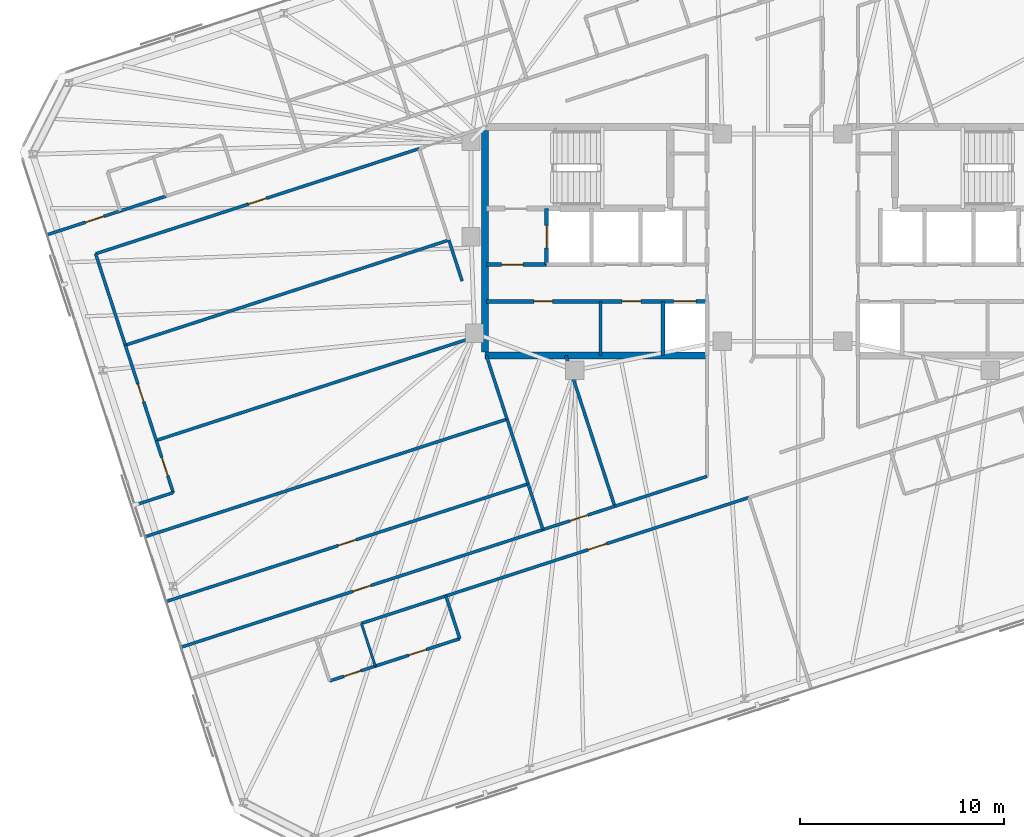
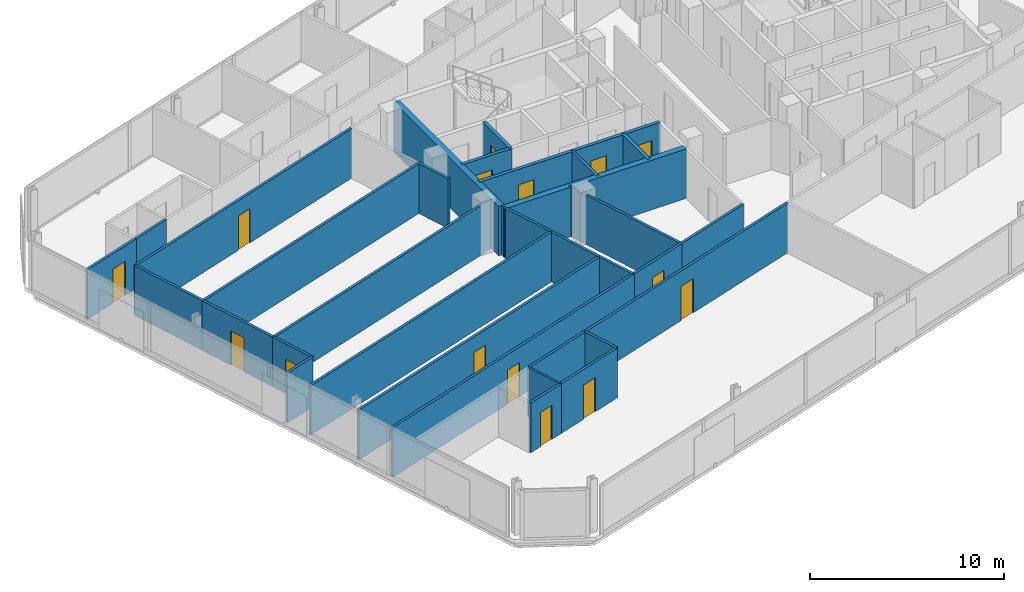
# One storey, part 13 of 19: 32 walls, 15 doors, 15 openings.
"""IFC4 building model written with IfcOpenShell, lengths in metres."""

from ifc_helpers import new_model, si_unit, direction, frame, frame_2d, origin, place, context, subcontext, project, spatial, rectangle, extrude, material, layer, layer_set, type_object, element, fill, save


model = new_model("IFC4")

# Units and contexts
model_context = context("Model", 3, precision=1e-05, world=origin(), true_north=direction((0.0, 1.0)))
body_context = subcontext(model_context, "Body", "Model", "MODEL_VIEW")
ifc_project = project(units=[si_unit("LENGTHUNIT", "METRE"), si_unit("AREAUNIT", "SQUARE_METRE"), si_unit("VOLUMEUNIT", "CUBIC_METRE"), si_unit("PLANEANGLEUNIT", "RADIAN"), si_unit("MASSUNIT", "GRAM", prefix="KILO")], contexts=[model_context])

# Site, building, storey
site_placement = place(None, origin())
site = spatial("IfcSite", under=ifc_project, at=site_placement, CompositionType="ELEMENT")
building_placement = place(site_placement, origin())
building = spatial("IfcBuilding", under=site, at=building_placement, Name="Menara Jurai Vektor", CompositionType="ELEMENT")
storey_placement = place(building_placement, frame((0.0, 0.0, 231.0)))
storey = spatial("IfcBuildingStorey", under=building, at=storey_placement, Name="L61", CompositionType="ELEMENT", Elevation=231.0)

# Wall, opening, door
ifc_material_1 = material(Name="Concrete C40/50", Category="concrete")
ifc_layer_1 = layer(ifc_material_1, 0.25)
ifc_layer_set_1 = layer_set([ifc_layer_1], Name="Concrete C40/50")
wall_type_1 = type_object("IfcWallType", Name="INT-WALL-CORE-250", PredefinedType="STANDARD", material=ifc_layer_set_1)
wall_1_placement = place(storey_placement, frame((-11.550048828125, -1.14990234375, 0.0), z_axis=(0.0, 0.0, 1.0), x_axis=(0.0, 1.0, 0.0)))
wall_1 = element("IfcWall", 1, at=wall_1_placement, inside=storey, type_object=wall_type_1, Name="Interior Wall IW-250 L61", PredefinedType="STANDARD", context=body_context, shape_type="SweptSolid", body=[
    extrude(rectangle(XDim=2.75, YDim=0.199951171875, at=frame_2d((1.375, 0.0))), origin(), (0.0, 0.0, 1.0), 3.125),
])
opening_1_placement = place(wall_1_placement, frame((0.824951171875, 0.0, 0.0)))
opening_1 = element("IfcOpeningElement", 2, at=opening_1_placement, cuts=wall_1, Name="Opening LD-L61-FL1", PredefinedType="OPENING", context=body_context, shape_type="SweptSolid", body=[
    extrude(rectangle(XDim=1.10009765625, YDim=2.14990234375, at=frame_2d((0.550048828125, 1.074951171875))), frame((0.0, 0.10986328125, 0.0), z_axis=(0.0, -1.0, 0.0), x_axis=(1.0, 0.0, 0.0)), (0.0, 0.0, 1.0), 0.219970703125),
])
ifc_material_2 = material(Name="Stainless Steel Sliding Lift Landing Door", Category="steel")
door_type_1 = type_object("IfcDoorType", Name="DR-LIFT-FIRE-1100", OperationType="NOTDEFINED", PredefinedType="DOOR", material=ifc_material_2)
door_1_placement = place(opening_1_placement, origin())
door_1 = element("IfcDoor", 3, at=door_1_placement, inside=storey, type_object=door_type_1, Name="Lift Landing Door FL1 L61", OperationType="SLIDING_TO_RIGHT", OverallHeight=2.14990234375, OverallWidth=1.10009765625, PredefinedType="DOOR", context=body_context, shape_type="SweptSolid", body=[
    extrude(rectangle(XDim=1.10009765625, YDim=2.14990234375, at=frame_2d((0.550048828125, 1.074951171875))), frame((0.0, 0.02490234375, 0.0), z_axis=(0.0, -1.0, 0.0), x_axis=(1.0, 0.0, 0.0)), (0.0, 0.0, 1.0), 0.050048828125),
])
fill(opening_1, door_1)

wall_2_placement = place(storey_placement, frame((-14.5, -1.14990234375, 0.0), z_axis=(0.0, 0.0, 1.0), x_axis=(1.0, 0.0, 0.0)))
wall_2 = element("IfcWall", 4, at=wall_2_placement, inside=storey, type_object=wall_type_1, Name="Interior Wall IW-250 L61", PredefinedType="STANDARD", context=body_context, shape_type="SweptSolid", body=[
    extrude(rectangle(XDim=2.949951171875, YDim=0.199951171875, at=frame_2d((1.47509765625, 0.0))), origin(), (0.0, 0.0, 1.0), 3.125),
])
opening_2_placement = place(wall_2_placement, frame((0.75, 0.0, 0.0)))
opening_2 = element("IfcOpeningElement", 5, at=opening_2_placement, cuts=wall_2, Name="Opening D-L61-FFW", PredefinedType="OPENING", context=body_context, shape_type="SweptSolid", body=[
    extrude(rectangle(XDim=1.050048828125, YDim=2.179931640625, at=frame_2d((0.52490234375, 1.08984375))), frame((0.0, 0.10986328125, 0.0), z_axis=(0.0, -1.0, 0.0), x_axis=(1.0, 0.0, 0.0)), (0.0, 0.0, 1.0), 0.219970703125),
])
ifc_material_3 = material(Name="Fire-Rated Timber Door", Category="wood")
door_type_2 = type_object("IfcDoorType", Name="DR-LOBBY-1050", OperationType="NOTDEFINED", PredefinedType="DOOR", material=ifc_material_3)
door_2_placement = place(opening_2_placement, origin())
door_2 = element("IfcDoor", 6, at=door_2_placement, inside=storey, type_object=door_type_2, Name="Fire Lift Lobby Door W L61", OperationType="SINGLE_SWING_RIGHT", OverallHeight=2.179931640625, OverallWidth=1.050048828125, PredefinedType="DOOR", context=body_context, shape_type="SweptSolid", body=[
    extrude(rectangle(XDim=1.050048828125, YDim=2.179931640625, at=frame_2d((0.52490234375, 1.08984375))), frame((0.0, 0.02490234375, 0.0), z_axis=(0.0, -1.0, 0.0), x_axis=(1.0, 0.0, 0.0)), (0.0, 0.0, 1.0), 0.050048828125),
])
fill(opening_2, door_2)

# Wall
ifc_material_4 = material(Name="Gypsum Fireboard Partition", Category="gypsum")
ifc_layer_2 = layer(ifc_material_4, 0.14990234375)
ifc_layer_set_2 = layer_set([ifc_layer_2], Name="Gypsum Fireboard Partition")
wall_type_2 = type_object("IfcWallType", Name="INT-WALL-CORR-150", PredefinedType="PARTITIONING", material=ifc_layer_set_2)
wall_3_placement = place(storey_placement, frame((-8.919921875, -5.60009765625, 0.0), z_axis=(0.0, 0.0, 1.0), x_axis=(0.0, 1.0, 0.0)))
element("IfcWall", 7, at=wall_3_placement, inside=storey, type_object=wall_type_2, Name="Interior Wall IW-150 L61", PredefinedType="PARTITIONING", context=body_context, shape_type="SweptSolid", body=[
    extrude(rectangle(XDim=2.650146484375, YDim=0.14990234375, at=frame_2d((1.3251953125, 0.0))), origin(), (0.0, 0.0, 1.0), 3.125),
])

# Wall, opening, door
wall_4_placement = place(storey_placement, frame((-36.01220703125, 0.314208984375, 0.0), z_axis=(0.0, 0.0, 1.0), x_axis=(0.951071182868, 0.308971851659, 0.0)))
wall_4 = element("IfcWall", 8, at=wall_4_placement, inside=storey, type_object=wall_type_2, Name="Interior Wall IW-150 L61", PredefinedType="PARTITIONING", context=body_context, shape_type="SweptSolid", body=[
    extrude(rectangle(XDim=3.77001953125, YDim=0.14990234375, at=frame_2d((1.885009765625, 0.0))), origin(), (0.0, 0.0, 1.0), 3.125),
])
opening_3_placement = place(wall_4_placement, frame((1.9755859375, 0.0, 0.0)))
opening_3 = element("IfcOpeningElement", 9, at=opening_3_placement, cuts=wall_4, Name="Opening D61-09", PredefinedType="OPENING", context=body_context, shape_type="SweptSolid", body=[
    extrude(rectangle(XDim=0.949951171875, YDim=2.14990234375, at=frame_2d((0.47509765625, 1.074951171875))), frame((0.0, 0.0849609375, 0.0), z_axis=(0.0, -1.0, 0.0), x_axis=(1.0, 0.0, 0.0)), (0.0, 0.0, 1.0), 0.169921875),
])
ifc_material_5 = material(Name="Solid Core Timber Fire Door", Category="wood")
door_type_3 = type_object("IfcDoorType", Name="DR-ENTRY-950", OperationType="NOTDEFINED", PredefinedType="DOOR", material=ifc_material_5)
door_3_placement = place(opening_3_placement, origin())
door_3 = element("IfcDoor", 10, at=door_3_placement, inside=storey, type_object=door_type_3, Name="Interior Door D61-09", OperationType="SINGLE_SWING_RIGHT", OverallHeight=2.14990234375, OverallWidth=0.949951171875, PredefinedType="DOOR", context=body_context, shape_type="SweptSolid", body=[
    extrude(rectangle(XDim=0.949951171875, YDim=2.14990234375, at=frame_2d((0.47509765625, 1.074951171875))), frame((0.0, 0.02490234375, 0.0), z_axis=(0.0, -1.0, 0.0), x_axis=(1.0, 0.0, 0.0)), (0.0, 0.0, 1.0), 0.050048828125),
])
fill(opening_3, door_3)

# Wall
wall_5_placement = place(storey_placement, frame((-32.4267578125, 1.47900390625, 0.0), z_axis=(0.0, 0.0, 1.0), x_axis=(0.951045519245, 0.309050837767, 0.0)))
element("IfcWall", 11, at=wall_5_placement, inside=storey, type_object=wall_type_2, Name="Interior Wall IW-150 L61", PredefinedType="PARTITIONING", context=body_context, shape_type="SweptSolid", body=[
    extrude(rectangle(XDim=2.35009765625, YDim=0.14990234375, at=frame_2d((1.175048828125, 0.0))), origin(), (0.0, 0.0, 1.0), 3.125),
])

# Wall, opening, door
wall_6_placement = place(storey_placement, frame((-16.481689453125, -17.3701171875, 0.0), z_axis=(0.0, 0.0, 1.0), x_axis=(0.9510563751, 0.309017428929, 0.0)))
wall_6 = element("IfcWall", 12, at=wall_6_placement, inside=storey, type_object=wall_type_2, Name="Interior Wall IW-150 L61", PredefinedType="PARTITIONING", context=body_context, shape_type="SweptSolid", body=[
    extrude(rectangle(XDim=15.60205078125, YDim=0.14990234375, at=frame_2d((7.801025390625, 0.0))), origin(), (0.0, 0.0, 1.0), 3.125),
])
opening_4_placement = place(wall_6_placement, frame((7.325927734375, 0.0, 0.0)))
opening_4 = element("IfcOpeningElement", 13, at=opening_4_placement, cuts=wall_6, Name="Opening D61-15", PredefinedType="OPENING", context=body_context, shape_type="SweptSolid", body=[
    extrude(rectangle(XDim=0.949951171875, YDim=2.14990234375, at=frame_2d((0.47509765625, 1.074951171875))), frame((0.0, 0.0849609375, 0.0), z_axis=(0.0, -1.0, 0.0), x_axis=(1.0, 0.0, 0.0)), (0.0, 0.0, 1.0), 0.169921875),
])
door_4_placement = place(opening_4_placement, origin())
door_4 = element("IfcDoor", 14, at=door_4_placement, inside=storey, type_object=door_type_3, Name="Interior Door D61-15", OperationType="SINGLE_SWING_RIGHT", OverallHeight=2.14990234375, OverallWidth=0.949951171875, PredefinedType="DOOR", context=body_context, shape_type="SweptSolid", body=[
    extrude(rectangle(XDim=0.949951171875, YDim=2.14990234375, at=frame_2d((0.47509765625, 1.074951171875))), frame((0.0, 0.02490234375, 0.0), z_axis=(0.0, -1.0, 0.0), x_axis=(1.0, 0.0, 0.0)), (0.0, 0.0, 1.0), 0.050048828125),
])
fill(opening_4, door_4)

# Wall
wall_7_placement = place(storey_placement, frame((-20.61865234375, -18.71435546875, 0.0), z_axis=(0.0, 0.0, 1.0), x_axis=(0.951052627573, 0.309028962374, 0.0)))
element("IfcWall", 15, at=wall_7_placement, inside=storey, type_object=wall_type_2, Name="Interior Wall IW-150 L61", PredefinedType="PARTITIONING", context=body_context, shape_type="SweptSolid", body=[
    extrude(rectangle(XDim=4.349853515625, YDim=0.14990234375, at=frame_2d((2.1748046875, 0.0))), origin(), (0.0, 0.0, 1.0), 3.125),
])

# Wall, opening, door
wall_8_placement = place(storey_placement, frame((-29.450439453125, -19.880615234375, 0.0), z_axis=(0.0, 0.0, 1.0), x_axis=(0.95105650271, 0.309017036186, 0.0)))
wall_8 = element("IfcWall", 16, at=wall_8_placement, inside=storey, type_object=wall_type_2, Name="Interior Wall IW-150 L61", PredefinedType="PARTITIONING", context=body_context, shape_type="SweptSolid", body=[
    extrude(rectangle(XDim=18.6318359375, YDim=0.14990234375, at=frame_2d((9.31591796875, 0.0))), origin(), (0.0, 0.0, 1.0), 3.125),
])
opening_5_placement = place(wall_8_placement, frame((8.85595703125, 0.0, 0.0)))
opening_5 = element("IfcOpeningElement", 17, at=opening_5_placement, cuts=wall_8, Name="Opening D61-21", PredefinedType="OPENING", context=body_context, shape_type="SweptSolid", body=[
    extrude(rectangle(XDim=0.919921875, YDim=2.14990234375, at=frame_2d((0.4599609375, 1.074951171875))), frame((0.0, 0.0849609375, 0.0), z_axis=(0.0, -1.0, 0.0), x_axis=(1.0, 0.0, 0.0)), (0.0, 0.0, 1.0), 0.169921875),
])
door_5_placement = place(opening_5_placement, origin())
door_5 = element("IfcDoor", 18, at=door_5_placement, inside=storey, type_object=door_type_3, Name="Interior Door D61-21", OperationType="SINGLE_SWING_RIGHT", OverallHeight=2.14990234375, OverallWidth=0.919921875, PredefinedType="DOOR", context=body_context, shape_type="SweptSolid", body=[
    extrude(rectangle(XDim=0.919921875, YDim=2.14990234375, at=frame_2d((0.4599609375, 1.074951171875))), frame((0.0, 0.02490234375, 0.0), z_axis=(0.0, -1.0, 0.0), x_axis=(1.0, 0.0, 0.0)), (0.0, 0.0, 1.0), 0.050048828125),
])
fill(opening_5, door_5)

# Wall
wall_9_placement = place(storey_placement, frame((-31.7119140625, -12.9208984375, 0.0), z_axis=(0.0, 0.0, 1.0), x_axis=(0.951054051148, 0.309024581215, 0.0)))
element("IfcWall", 19, at=wall_9_placement, inside=storey, type_object=wall_type_2, Name="Interior Wall IW-150 L61", PredefinedType="PARTITIONING", context=body_context, shape_type="SweptSolid", body=[
    extrude(rectangle(XDim=1.97509765625, YDim=0.14990234375, at=frame_2d((0.987548828125, 0.0))), origin(), (0.0, 0.0, 1.0), 3.125),
])

# Wall, opening, door
wall_10_placement = place(storey_placement, frame((-29.83349609375, -12.310546875, 0.0), z_axis=(0.0, 0.0, 1.0), x_axis=(-0.309044953986, 0.951047431213, 0.0)))
wall_10 = element("IfcWall", 20, at=wall_10_placement, inside=storey, type_object=wall_type_2, Name="Interior Wall IW-150 L61", PredefinedType="PARTITIONING", context=body_context, shape_type="SweptSolid", body=[
    extrude(rectangle(XDim=2.68505859375, YDim=0.14990234375, at=frame_2d((1.342529296875, 0.0))), origin(), (0.0, 0.0, 1.0), 3.125),
])
opening_6_placement = place(wall_10_placement, frame((0.882568359375, 0.0, 0.0)))
opening_6 = element("IfcOpeningElement", 21, at=opening_6_placement, cuts=wall_10, Name="Opening D61-23", PredefinedType="OPENING", context=body_context, shape_type="SweptSolid", body=[
    extrude(rectangle(XDim=0.919921875, YDim=2.14990234375, at=frame_2d((0.4599609375, 1.074951171875))), frame((0.0, 0.0849609375, 0.0), z_axis=(0.0, -1.0, 0.0), x_axis=(1.0, 0.0, 0.0)), (0.0, 0.0, 1.0), 0.169921875),
])
door_6_placement = place(opening_6_placement, origin())
door_6 = element("IfcDoor", 22, at=door_6_placement, inside=storey, type_object=door_type_3, Name="Interior Door D61-23", OperationType="SINGLE_SWING_RIGHT", OverallHeight=2.14990234375, OverallWidth=0.919921875, PredefinedType="DOOR", context=body_context, shape_type="SweptSolid", body=[
    extrude(rectangle(XDim=0.919921875, YDim=2.14990234375, at=frame_2d((0.4599609375, 1.074951171875))), frame((0.0, 0.02490234375, 0.0), z_axis=(0.0, -1.0, 0.0), x_axis=(1.0, 0.0, 0.0)), (0.0, 0.0, 1.0), 0.050048828125),
])
fill(opening_6, door_6)

wall_11_placement = place(storey_placement, frame((-30.663330078125, -9.7568359375, 0.0), z_axis=(0.0, 0.0, 1.0), x_axis=(-0.309019653166, 0.951055652397, 0.0)))
wall_11 = element("IfcWall", 23, at=wall_11_placement, inside=storey, type_object=wall_type_2, Name="Interior Wall IW-150 L61", PredefinedType="PARTITIONING", context=body_context, shape_type="SweptSolid", body=[
    extrude(rectangle(XDim=4.90380859375, YDim=0.14990234375, at=frame_2d((2.451904296875, 0.0))), origin(), (0.0, 0.0, 1.0), 3.125),
])
opening_7_placement = place(wall_11_placement, frame((1.991943359375, 0.0, 0.0)))
opening_7 = element("IfcOpeningElement", 24, at=opening_7_placement, cuts=wall_11, Name="Opening D61-24", PredefinedType="OPENING", context=body_context, shape_type="SweptSolid", body=[
    extrude(rectangle(XDim=0.919921875, YDim=2.14990234375, at=frame_2d((0.4599609375, 1.074951171875))), frame((0.0, 0.0849609375, 0.0), z_axis=(0.0, -1.0, 0.0), x_axis=(1.0, 0.0, 0.0)), (0.0, 0.0, 1.0), 0.169921875),
])
door_7_placement = place(opening_7_placement, origin())
door_7 = element("IfcDoor", 25, at=door_7_placement, inside=storey, type_object=door_type_3, Name="Interior Door D61-24", OperationType="SINGLE_SWING_LEFT", OverallHeight=2.14990234375, OverallWidth=0.919921875, PredefinedType="DOOR", context=body_context, shape_type="SweptSolid", body=[
    extrude(rectangle(XDim=0.919921875, YDim=2.14990234375, at=frame_2d((0.4599609375, 1.074951171875))), frame((0.0, 0.02490234375, 0.0), z_axis=(0.0, -1.0, 0.0), x_axis=(1.0, 0.0, 0.0)), (0.0, 0.0, 1.0), 0.050048828125),
])
fill(opening_7, door_7)

# Wall
wall_12_placement = place(storey_placement, frame((-32.1787109375, -5.093017578125, 0.0), z_axis=(0.0, 0.0, 1.0), x_axis=(-0.309014532869, 0.951057316083, 0.0)))
element("IfcWall", 26, at=wall_12_placement, inside=storey, type_object=wall_type_2, Name="Interior Wall IW-150 L61", PredefinedType="PARTITIONING", context=body_context, shape_type="SweptSolid", body=[
    extrude(rectangle(XDim=4.707275390625, YDim=0.14990234375, at=frame_2d((2.353515625, 0.0))), origin(), (0.0, 0.0, 1.0), 3.125),
])

# Wall, opening, door
wall_13_placement = place(storey_placement, frame((-33.63330078125, -0.6162109375, 0.0), z_axis=(0.0, 0.0, 1.0), x_axis=(0.951058192995, 0.309011833974, 0.0)))
wall_13 = element("IfcWall", 27, at=wall_13_placement, inside=storey, type_object=wall_type_2, Name="Interior Wall IW-150 L61", PredefinedType="PARTITIONING", context=body_context, shape_type="SweptSolid", body=[
    extrude(rectangle(XDim=16.656982421875, YDim=0.14990234375, at=frame_2d((8.32861328125, 0.0))), origin(), (0.0, 0.0, 1.0), 3.125),
])
opening_8_placement = place(wall_13_placement, frame((7.868408203125, 0.0, 0.0)))
opening_8 = element("IfcOpeningElement", 28, at=opening_8_placement, cuts=wall_13, Name="Opening D61-25", PredefinedType="OPENING", context=body_context, shape_type="SweptSolid", body=[
    extrude(rectangle(XDim=0.919921875, YDim=2.14990234375, at=frame_2d((0.4599609375, 1.074951171875))), frame((0.0, 0.0849609375, 0.0), z_axis=(0.0, -1.0, 0.0), x_axis=(1.0, 0.0, 0.0)), (0.0, 0.0, 1.0), 0.169921875),
])
door_8_placement = place(opening_8_placement, origin())
door_8 = element("IfcDoor", 29, at=door_8_placement, inside=storey, type_object=door_type_3, Name="Interior Door D61-25", OperationType="SINGLE_SWING_RIGHT", OverallHeight=2.14990234375, OverallWidth=0.919921875, PredefinedType="DOOR", context=body_context, shape_type="SweptSolid", body=[
    extrude(rectangle(XDim=0.919921875, YDim=2.14990234375, at=frame_2d((0.4599609375, 1.074951171875))), frame((0.0, 0.02490234375, 0.0), z_axis=(0.0, -1.0, 0.0), x_axis=(1.0, 0.0, 0.0)), (0.0, 0.0, 1.0), 0.050048828125),
])
fill(opening_8, door_8)

wall_14_placement = place(storey_placement, frame((-11.73046875, -14.123046875, 0.0), z_axis=(0.0, 0.0, 1.0), x_axis=(0.951052502763, 0.309029346483, 0.0)))
wall_14 = element("IfcWall", 30, at=wall_14_placement, inside=storey, type_object=wall_type_2, Name="Interior Wall IW-150 L61", PredefinedType="PARTITIONING", context=body_context, shape_type="SweptSolid", body=[
    extrude(rectangle(XDim=3.697998046875, YDim=0.14990234375, at=frame_2d((1.84912109375, 0.0))), origin(), (0.0, 0.0, 1.0), 3.125),
])
opening_9_placement = place(wall_14_placement, frame((1.388916015625, 0.0, 0.0)))
opening_9 = element("IfcOpeningElement", 31, at=opening_9_placement, cuts=wall_14, Name="Opening D61-32", PredefinedType="OPENING", context=body_context, shape_type="SweptSolid", body=[
    extrude(rectangle(XDim=0.919921875, YDim=2.14990234375, at=frame_2d((0.4599609375, 1.074951171875))), frame((0.0, 0.0849609375, 0.0), z_axis=(0.0, -1.0, 0.0), x_axis=(1.0, 0.0, 0.0)), (0.0, 0.0, 1.0), 0.169921875),
])
door_9_placement = place(opening_9_placement, origin())
door_9 = element("IfcDoor", 32, at=door_9_placement, inside=storey, type_object=door_type_3, Name="Interior Door D61-32", OperationType="SINGLE_SWING_LEFT", OverallHeight=2.14990234375, OverallWidth=0.919921875, PredefinedType="DOOR", context=body_context, shape_type="SweptSolid", body=[
    extrude(rectangle(XDim=0.919921875, YDim=2.14990234375, at=frame_2d((0.4599609375, 1.074951171875))), frame((0.0, 0.02490234375, 0.0), z_axis=(0.0, -1.0, 0.0), x_axis=(1.0, 0.0, 0.0)), (0.0, 0.0, 1.0), 0.050048828125),
])
fill(opening_9, door_9)

# Wall
wall_15_placement = place(storey_placement, frame((-8.21337890625, -12.980224609375, 0.0), z_axis=(0.0, 0.0, 1.0), x_axis=(0.951058260096, 0.309011627456, 0.0)))
element("IfcWall", 33, at=wall_15_placement, inside=storey, type_object=wall_type_2, Name="Interior Wall IW-150 L61", PredefinedType="PARTITIONING", context=body_context, shape_type="SweptSolid", body=[
    extrude(rectangle(XDim=4.745849609375, YDim=0.14990234375, at=frame_2d((2.373046875, 0.0))), origin(), (0.0, 0.0, 1.0), 3.125),
])

# Wall, opening, door
wall_16_placement = place(storey_placement, frame((-22.173828125, -21.532958984375, 0.0), z_axis=(0.0, 0.0, 1.0), x_axis=(0.951045519245, 0.309050837767, 0.0)))
wall_16 = element("IfcWall", 34, at=wall_16_placement, inside=storey, type_object=wall_type_2, Name="Interior Wall IW-150 L61", PredefinedType="PARTITIONING", context=body_context, shape_type="SweptSolid", body=[
    extrude(rectangle(XDim=2.35009765625, YDim=0.14990234375, at=frame_2d((1.175048828125, 0.0))), origin(), (0.0, 0.0, 1.0), 3.125),
])
opening_10_placement = place(wall_16_placement, frame((0.735107421875, 0.0, 0.0)))
opening_10 = element("IfcOpeningElement", 35, at=opening_10_placement, cuts=wall_16, Name="Opening D61-16", PredefinedType="OPENING", context=body_context, shape_type="SweptSolid", body=[
    extrude(rectangle(XDim=0.8798828125, YDim=2.14990234375, at=frame_2d((0.43994140625, 1.074951171875))), frame((0.0, 0.0849609375, 0.0), z_axis=(0.0, -1.0, 0.0), x_axis=(1.0, 0.0, 0.0)), (0.0, 0.0, 1.0), 0.169921875),
])
ifc_material_6 = material(Name="Moisture-Resistant Timber Door", Category="wood")
door_type_4 = type_object("IfcDoorType", Name="DR-BATH-880", OperationType="NOTDEFINED", PredefinedType="DOOR", material=ifc_material_6)
door_10_placement = place(opening_10_placement, origin())
door_10 = element("IfcDoor", 36, at=door_10_placement, inside=storey, type_object=door_type_4, Name="Interior Door D61-16", OperationType="SINGLE_SWING_LEFT", OverallHeight=2.14990234375, OverallWidth=0.8798828125, PredefinedType="DOOR", context=body_context, shape_type="SweptSolid", body=[
    extrude(rectangle(XDim=0.8798828125, YDim=2.14990234375, at=frame_2d((0.43994140625, 1.074951171875))), frame((0.0, 0.02490234375, 0.0), z_axis=(0.0, -1.0, 0.0), x_axis=(1.0, 0.0, 0.0)), (0.0, 0.0, 1.0), 0.050048828125),
])
fill(opening_10, door_10)

wall_17_placement = place(storey_placement, frame((-19.938720703125, -20.806640625, 0.0), z_axis=(0.0, 0.0, 1.0), x_axis=(0.951052627573, 0.309028962374, 0.0)))
wall_17 = element("IfcWall", 37, at=wall_17_placement, inside=storey, type_object=wall_type_2, Name="Interior Wall IW-150 L61", PredefinedType="PARTITIONING", context=body_context, shape_type="SweptSolid", body=[
    extrude(rectangle(XDim=4.349853515625, YDim=0.14990234375, at=frame_2d((2.1748046875, 0.0))), origin(), (0.0, 0.0, 1.0), 3.125),
])
opening_11_placement = place(wall_17_placement, frame((1.72509765625, 0.0, 0.0)))
opening_11 = element("IfcOpeningElement", 38, at=opening_11_placement, cuts=wall_17, Name="Opening D61-17", PredefinedType="OPENING", context=body_context, shape_type="SweptSolid", body=[
    extrude(rectangle(XDim=0.89990234375, YDim=2.14990234375, at=frame_2d((0.449951171875, 1.074951171875))), frame((0.0, 0.0849609375, 0.0), z_axis=(0.0, -1.0, 0.0), x_axis=(1.0, 0.0, 0.0)), (0.0, 0.0, 1.0), 0.169921875),
])
ifc_material_7 = material(Name="Acoustic Timber Interior Door", Category="wood")
door_type_5 = type_object("IfcDoorType", Name="DR-ROOM-900", OperationType="NOTDEFINED", PredefinedType="DOOR", material=ifc_material_7)
door_11_placement = place(opening_11_placement, origin())
door_11 = element("IfcDoor", 39, at=door_11_placement, inside=storey, type_object=door_type_5, Name="Interior Door D61-17", OperationType="SINGLE_SWING_RIGHT", OverallHeight=2.14990234375, OverallWidth=0.89990234375, PredefinedType="DOOR", context=body_context, shape_type="SweptSolid", body=[
    extrude(rectangle(XDim=0.89990234375, YDim=2.14990234375, at=frame_2d((0.449951171875, 1.074951171875))), frame((0.0, 0.02490234375, 0.0), z_axis=(0.0, -1.0, 0.0), x_axis=(1.0, 0.0, 0.0)), (0.0, 0.0, 1.0), 0.050048828125),
])
fill(opening_11, door_11)

# Wall
wall_18_placement = place(storey_placement, frame((-15.8017578125, -19.46240234375, 0.0), z_axis=(0.0, 0.0, 1.0), x_axis=(-0.309060979314, 0.951042223598, 0.0)))
element("IfcWall", 40, at=wall_18_placement, inside=storey, type_object=wall_type_2, Name="Interior Wall IW-150 L61", PredefinedType="PARTITIONING", context=body_context, shape_type="SweptSolid", body=[
    extrude(rectangle(XDim=2.199951171875, YDim=0.14990234375, at=frame_2d((1.10009765625, 0.0))), origin(), (0.0, 0.0, 1.0), 3.125),
])

# Wall, opening, door
wall_19_placement = place(storey_placement, frame((-30.177978515625, -17.641845703125, 0.0), z_axis=(0.0, 0.0, 1.0), x_axis=(0.95105650271, 0.309017036186, 0.0)))
wall_19 = element("IfcWall", 41, at=wall_19_placement, inside=storey, type_object=wall_type_2, Name="Interior Wall IW-150 L61", PredefinedType="PARTITIONING", context=body_context, shape_type="SweptSolid", body=[
    extrude(rectangle(XDim=18.6318359375, YDim=0.14990234375, at=frame_2d((9.31591796875, 0.0))), origin(), (0.0, 0.0, 1.0), 3.125),
])
opening_12_placement = place(wall_19_placement, frame((8.85595703125, 0.0, 0.0)))
opening_12 = element("IfcOpeningElement", 42, at=opening_12_placement, cuts=wall_19, Name="Opening D61-22", PredefinedType="OPENING", context=body_context, shape_type="SweptSolid", body=[
    extrude(rectangle(XDim=0.919921875, YDim=2.14990234375, at=frame_2d((0.4599609375, 1.074951171875))), frame((0.0, 0.0849609375, 0.0), z_axis=(0.0, -1.0, 0.0), x_axis=(1.0, 0.0, 0.0)), (0.0, 0.0, 1.0), 0.169921875),
])
door_12_placement = place(opening_12_placement, origin())
door_12 = element("IfcDoor", 43, at=door_12_placement, inside=storey, type_object=door_type_3, Name="Interior Door D61-22", OperationType="SINGLE_SWING_LEFT", OverallHeight=2.14990234375, OverallWidth=0.919921875, PredefinedType="DOOR", context=body_context, shape_type="SweptSolid", body=[
    extrude(rectangle(XDim=0.919921875, YDim=2.14990234375, at=frame_2d((0.4599609375, 1.074951171875))), frame((0.0, 0.02490234375, 0.0), z_axis=(0.0, -1.0, 0.0), x_axis=(1.0, 0.0, 0.0)), (0.0, 0.0, 1.0), 0.050048828125),
])
fill(opening_12, door_12)

# Walls
wall_20_placement = place(storey_placement, frame((-11.73046875, -14.123046875, 0.0), z_axis=(0.0, 0.0, 1.0), x_axis=(-0.309062621189, 0.951041690035, 0.0)))
element("IfcWall", 44, at=wall_20_placement, inside=storey, type_object=wall_type_2, Name="Interior Wall IW-150 L61", PredefinedType="PARTITIONING", context=body_context, shape_type="SweptSolid", body=[
    extrude(rectangle(XDim=2.35400390625, YDim=0.14990234375, at=frame_2d((1.177001953125, 0.0))), origin(), (0.0, 0.0, 1.0), 3.125),
])
wall_21_placement = place(storey_placement, frame((-31.208251953125, -14.470947265625, 0.0), z_axis=(0.0, 0.0, 1.0), x_axis=(0.951057753948, 0.309013185244, 0.0)))
element("IfcWall", 45, at=wall_21_placement, inside=storey, type_object=wall_type_2, Name="Interior Wall IW-150 L61", PredefinedType="PARTITIONING", context=body_context, shape_type="SweptSolid", body=[
    extrude(rectangle(XDim=18.632080078125, YDim=0.14990234375, at=frame_2d((9.31591796875, 0.0))), origin(), (0.0, 0.0, 1.0), 3.125),
])
wall_22_placement = place(storey_placement, frame((-12.4580078125, -11.88427734375, 0.0), z_axis=(0.0, 0.0, 1.0), x_axis=(-0.308946982245, 0.951079261766, 0.0)))
element("IfcWall", 46, at=wall_22_placement, inside=storey, type_object=wall_type_2, Name="Interior Wall IW-150 L61", PredefinedType="PARTITIONING", context=body_context, shape_type="SweptSolid", body=[
    extrude(rectangle(XDim=3.333984375, YDim=0.14990234375, at=frame_2d((1.6669921875, 0.0))), origin(), (0.0, 0.0, 1.0), 3.125),
])
wall_23_placement = place(storey_placement, frame((-30.663330078125, -9.7568359375, 0.0), z_axis=(0.0, 0.0, 1.0), x_axis=(0.951058192995, 0.309011833974, 0.0)))
element("IfcWall", 47, at=wall_23_placement, inside=storey, type_object=wall_type_2, Name="Interior Wall IW-150 L61", PredefinedType="PARTITIONING", context=body_context, shape_type="SweptSolid", body=[
    extrude(rectangle(XDim=16.656982421875, YDim=0.14990234375, at=frame_2d((8.32861328125, 0.0))), origin(), (0.0, 0.0, 1.0), 3.125),
])
wall_24_placement = place(storey_placement, frame((-13.488037109375, -8.71337890625, 0.0), z_axis=(0.0, 0.0, 1.0), x_axis=(-0.309082700143, 0.951035164687, 0.0)))
element("IfcWall", 48, at=wall_24_placement, inside=storey, type_object=wall_type_2, Name="Interior Wall IW-150 L61", PredefinedType="PARTITIONING", context=body_context, shape_type="SweptSolid", body=[
    extrude(rectangle(XDim=3.274169921875, YDim=0.14990234375, at=frame_2d((1.63720703125, 0.0))), origin(), (0.0, 0.0, 1.0), 3.125),
])
wall_25_placement = place(storey_placement, frame((-32.1787109375, -5.093017578125, 0.0), z_axis=(0.0, 0.0, 1.0), x_axis=(0.951053885426, 0.309025091239, 0.0)))
element("IfcWall", 49, at=wall_25_placement, inside=storey, type_object=wall_type_2, Name="Interior Wall IW-150 L61", PredefinedType="PARTITIONING", context=body_context, shape_type="SweptSolid", body=[
    extrude(rectangle(XDim=16.656982421875, YDim=0.14990234375, at=frame_2d((8.32861328125, 0.0))), origin(), (0.0, 0.0, 1.0), 3.125),
])
wall_26_placement = place(storey_placement, frame((-15.68505859375, -1.952392578125, 0.0), z_axis=(0.0, 0.0, 1.0), x_axis=(-0.308929092959, 0.951085072706, 0.0)))
element("IfcWall", 50, at=wall_26_placement, inside=storey, type_object=wall_type_2, Name="Interior Wall IW-150 L61", PredefinedType="PARTITIONING", context=body_context, shape_type="SweptSolid", body=[
    extrude(rectangle(XDim=2.110107421875, YDim=0.14990234375, at=frame_2d((1.05517578125, 0.0))), origin(), (0.0, 0.0, 1.0), 3.125),
])
wall_27_placement = place(storey_placement, frame((-8.21337890625, -12.980224609375, 0.0), z_axis=(0.0, 0.0, 1.0), x_axis=(-0.309017065592, 0.951056493155, 0.0)))
element("IfcWall", 51, at=wall_27_placement, inside=storey, type_object=wall_type_2, Name="Interior Wall IW-150 L61", PredefinedType="PARTITIONING", context=body_context, shape_type="SweptSolid", body=[
    extrude(rectangle(XDim=7.760009765625, YDim=0.14990234375, at=frame_2d((3.8798828125, 0.0))), origin(), (0.0, 0.0, 1.0), 3.125),
])
ifc_material_8 = material(Name="Gypsum Acoustic Stud Partition", Category="gypsum")
ifc_layer_3 = layer(ifc_material_8, 0.1201171875)
ifc_layer_set_3 = layer_set([ifc_layer_3], Name="Gypsum Acoustic Stud Partition")
wall_type_3 = type_object("IfcWallType", Name="INT-WALL-PART-120", PredefinedType="PARTITIONING", material=ifc_layer_set_3)
wall_28_placement = place(storey_placement, frame((-19.938720703125, -20.806640625, 0.0), z_axis=(0.0, 0.0, 1.0), x_axis=(-0.309060979314, 0.951042223598, 0.0)))
element("IfcWall", 52, at=wall_28_placement, inside=storey, type_object=wall_type_3, Name="Interior Wall IW-120 L61", PredefinedType="PARTITIONING", context=body_context, shape_type="SweptSolid", body=[
    extrude(rectangle(XDim=2.199951171875, YDim=0.1201171875, at=frame_2d((1.10009765625, 0.0))), origin(), (0.0, 0.0, 1.0), 3.125),
])

# Wall, openings, doors
ifc_layer_4 = layer(ifc_material_1, 0.199951171875)
ifc_layer_set_4 = layer_set([ifc_layer_4], Name="Concrete C40/50")
wall_type_4 = type_object("IfcWallType", Name="INT-WALL-SHAFT-200", PredefinedType="STANDARD", material=ifc_layer_set_4)
wall_29_placement = place(storey_placement, frame((-14.5, -2.949951171875, 0.0), z_axis=(0.0, 0.0, 1.0), x_axis=(1.0, 0.0, 0.0)))
wall_29 = element("IfcWall", 53, at=wall_29_placement, inside=storey, type_object=wall_type_4, Name="Interior Wall IW-200 L61", PredefinedType="STANDARD", context=body_context, shape_type="SweptSolid", body=[
    extrude(rectangle(XDim=10.800048828125, YDim=0.199951171875, at=frame_2d((5.39990234375, 0.0))), origin(), (0.0, 0.0, 1.0), 3.125),
])
opening_13_placement = place(wall_29_placement, frame((9.169921875, 0.0, 0.0)))
opening_13 = element("IfcOpeningElement", 54, at=opening_13_placement, cuts=wall_29, Name="Opening LD-L61-PH1", PredefinedType="OPENING", context=body_context, shape_type="SweptSolid", body=[
    extrude(rectangle(XDim=1.10009765625, YDim=2.14990234375, at=frame_2d((0.550048828125, 1.074951171875))), frame((0.0, 0.10986328125, 0.0), z_axis=(0.0, -1.0, 0.0), x_axis=(1.0, 0.0, 0.0)), (0.0, 0.0, 1.0), 0.219970703125),
])
opening_14_placement = place(wall_29_placement, frame((2.330078125, 0.0, 0.0)))
opening_14 = element("IfcOpeningElement", 55, at=opening_14_placement, cuts=wall_29, Name="Opening D61-01", PredefinedType="OPENING", context=body_context, shape_type="SweptSolid", body=[
    extrude(rectangle(XDim=0.919921875, YDim=2.14990234375, at=frame_2d((0.4599609375, 1.074951171875))), frame((0.0, 0.10986328125, 0.0), z_axis=(0.0, -1.0, 0.0), x_axis=(1.0, 0.0, 0.0)), (0.0, 0.0, 1.0), 0.219970703125),
])
opening_15_placement = place(wall_29_placement, frame((6.64990234375, 0.0, 0.0)))
opening_15 = element("IfcOpeningElement", 56, at=opening_15_placement, cuts=wall_29, Name="Opening D61-02", PredefinedType="OPENING", context=body_context, shape_type="SweptSolid", body=[
    extrude(rectangle(XDim=0.919921875, YDim=2.14990234375, at=frame_2d((0.4599609375, 1.074951171875))), frame((0.0, 0.10986328125, 0.0), z_axis=(0.0, -1.0, 0.0), x_axis=(1.0, 0.0, 0.0)), (0.0, 0.0, 1.0), 0.219970703125),
])
door_13_placement = place(opening_14_placement, origin())
door_13 = element("IfcDoor", 57, at=door_13_placement, inside=storey, type_object=door_type_3, Name="Interior Door D61-01", OperationType="SINGLE_SWING_LEFT", OverallHeight=2.14990234375, OverallWidth=0.919921875, PredefinedType="DOOR", context=body_context, shape_type="SweptSolid", body=[
    extrude(rectangle(XDim=0.919921875, YDim=2.14990234375, at=frame_2d((0.4599609375, 1.074951171875))), frame((0.0, 0.02490234375, 0.0), z_axis=(0.0, -1.0, 0.0), x_axis=(1.0, 0.0, 0.0)), (0.0, 0.0, 1.0), 0.050048828125),
])
fill(opening_14, door_13)
door_14_placement = place(opening_15_placement, origin())
door_14 = element("IfcDoor", 58, at=door_14_placement, inside=storey, type_object=door_type_3, Name="Interior Door D61-02", OperationType="SINGLE_SWING_RIGHT", OverallHeight=2.14990234375, OverallWidth=0.919921875, PredefinedType="DOOR", context=body_context, shape_type="SweptSolid", body=[
    extrude(rectangle(XDim=0.919921875, YDim=2.14990234375, at=frame_2d((0.4599609375, 1.074951171875))), frame((0.0, 0.02490234375, 0.0), z_axis=(0.0, -1.0, 0.0), x_axis=(1.0, 0.0, 0.0)), (0.0, 0.0, 1.0), 0.050048828125),
])
fill(opening_15, door_14)
ifc_material_9 = material(Name="Anodised Stainless Sliding Lift Landing Door", Category="steel")
door_type_6 = type_object("IfcDoorType", Name="DR-LIFT-PASS-1100", OperationType="NOTDEFINED", PredefinedType="DOOR", material=ifc_material_9)
door_15_placement = place(opening_13_placement, origin())
door_15 = element("IfcDoor", 59, at=door_15_placement, inside=storey, type_object=door_type_6, Name="Lift Landing Door PH1 L61", OperationType="SLIDING_TO_RIGHT", OverallHeight=2.14990234375, OverallWidth=1.10009765625, PredefinedType="DOOR", context=body_context, shape_type="SweptSolid", body=[
    extrude(rectangle(XDim=1.10009765625, YDim=2.14990234375, at=frame_2d((0.550048828125, 1.074951171875))), frame((0.0, 0.02490234375, 0.0), z_axis=(0.0, -1.0, 0.0), x_axis=(1.0, 0.0, 0.0)), (0.0, 0.0, 1.0), 0.050048828125),
])
fill(opening_13, door_15)

# Walls
wall_30_placement = place(storey_placement, frame((-5.860107421875, -5.60009765625, 0.0), z_axis=(0.0, 0.0, 1.0), x_axis=(0.0, 1.0, 0.0)))
element("IfcWall", 60, at=wall_30_placement, inside=storey, type_object=wall_type_4, Name="Interior Wall IW-200 L61", PredefinedType="STANDARD", context=body_context, shape_type="SweptSolid", body=[
    extrude(rectangle(XDim=2.650146484375, YDim=0.199951171875, at=frame_2d((1.3251953125, 0.0))), origin(), (0.0, 0.0, 1.0), 3.125),
])
ifc_material_10 = material(Name="Concrete C50/60", Category="concrete")
ifc_layer_5 = layer(ifc_material_10, 0.35009765625)
ifc_layer_set_5 = layer_set([ifc_layer_5], Name="Concrete C50/60")
wall_type_5 = type_object("IfcWallType", Name="STR-WALL-CORE350", PredefinedType="SHEAR", material=ifc_layer_set_5)
wall_31_placement = place(storey_placement, frame((-14.56005859375, -5.60009765625, 0.0), z_axis=(0.0, 0.0, 1.0), x_axis=(1.0, 0.0, 0.0)))
element("IfcWall", 61, at=wall_31_placement, inside=storey, type_object=wall_type_5, Name="Core Shear Wall CW-W-S L61", PredefinedType="SHEAR", context=body_context, shape_type="SweptSolid", body=[
    extrude(rectangle(XDim=10.860107421875, YDim=0.35009765625, at=frame_2d((5.43017578125, 0.0))), origin(), (0.0, 0.0, 1.0), 3.125),
])
wall_32_placement = place(storey_placement, frame((-14.56005859375, -5.425048828125, 0.0), z_axis=(0.0, 0.0, 1.0), x_axis=(0.0, 1.0, 0.0)))
element("IfcWall", 62, at=wall_32_placement, inside=storey, type_object=wall_type_5, Name="Core Shear Wall CW-W-W L61", PredefinedType="SHEAR", context=body_context, shape_type="SweptSolid", body=[
    extrude(rectangle(XDim=10.85009765625, YDim=0.35009765625, at=frame_2d((5.425048828125, 0.0))), origin(), (0.0, 0.0, 1.0), 3.125),
])

save(model, "model.ifc")
